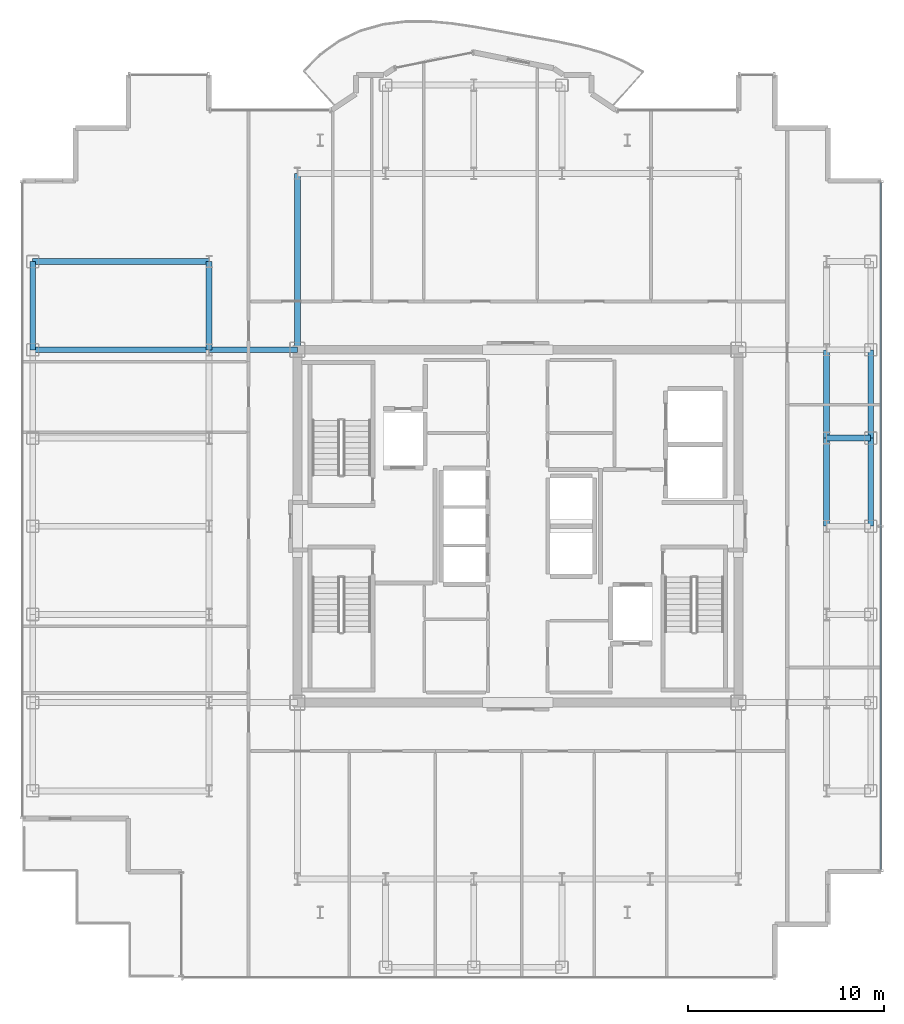
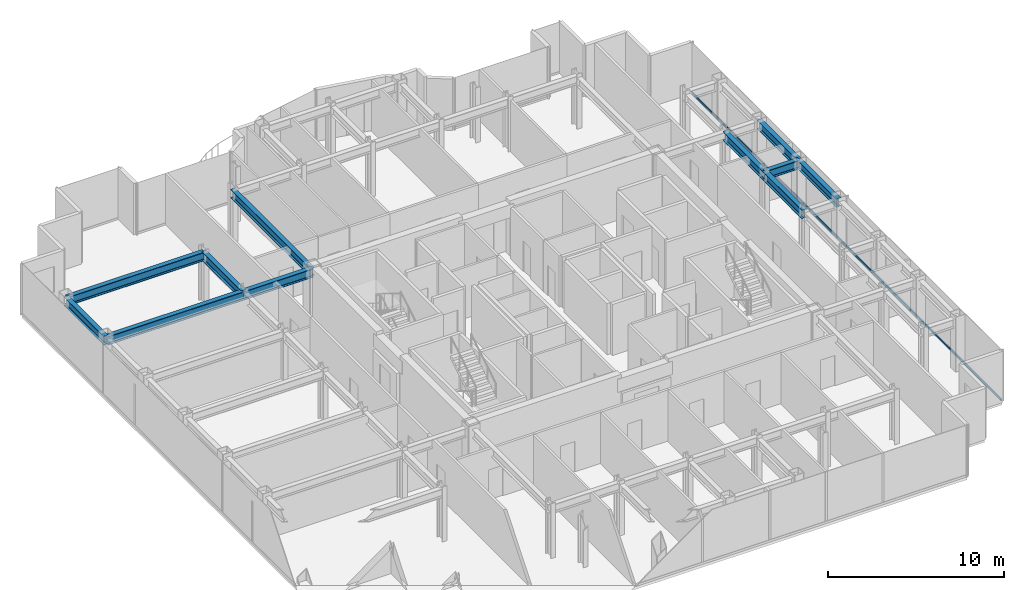
# One storey, part 6 of 17: 11 beams, 1 member, 1 element without a shape of its own.
"""IFC4 building model written with IfcOpenShell, lengths in metres."""

from ifc_helpers import new_model, si_unit, direction, frame, origin, origin_2d, place, context, subcontext, project, spatial, hollow_rectangle, i_section, extrude, source, transform, mapped, material, layer, layer_set, material_profile, profile_set, type_object, element, aggregate, save


model = new_model("IFC4")

# Units and contexts
model_context = context("Model", 3, precision=1e-05, world=origin(), true_north=direction((0.0, 1.0)))
body_context = subcontext(model_context, "Body", "Model", "MODEL_VIEW")
ifc_project = project(units=[si_unit("LENGTHUNIT", "METRE"), si_unit("AREAUNIT", "SQUARE_METRE"), si_unit("VOLUMEUNIT", "CUBIC_METRE"), si_unit("PLANEANGLEUNIT", "RADIAN"), si_unit("MASSUNIT", "GRAM", prefix="KILO")], contexts=[model_context])

# Site, building, storey
site_placement = place(None, origin())
site = spatial("IfcSite", under=ifc_project, at=site_placement, CompositionType="ELEMENT")
building_placement = place(site_placement, origin())
building = spatial("IfcBuilding", under=site, at=building_placement, Name="Nefas-Gora Pilgrimage Tower", CompositionType="ELEMENT")
storey_placement = place(building_placement, frame((0.0, 0.0, 279.800048828125)))
storey = spatial("IfcBuildingStorey", under=building, at=storey_placement, Name="L70", CompositionType="ELEMENT", Elevation=279.800048828125)

# Beams
ifc_material_1 = material(Name="Steel S355", Category="steel")
ifc_material_profile_1 = material_profile(ifc_material_1, i_section(OverallWidth=0.300048828125, OverallDepth=0.60009765625, WebThickness=0.015380859375, FlangeThickness=0.030029296875, FilletRadius=0.027099609375, at=origin_2d()), Name="HEB 600")
ifc_profile_set_1 = profile_set([ifc_material_profile_1], Name="Steel S355")
beam_type_1 = type_object("IfcBeamType", Name="BM-SPN-HEB450", PredefinedType="SPANDREL", material=ifc_profile_set_1)
shared_shape_1 = source(origin(), body_context, "Body", "SweptSolid", [
    extrude(i_section(OverallWidth=0.300048828125, OverallDepth=0.60009765625, WebThickness=0.015380859375, FlangeThickness=0.030029296875, FilletRadius=0.027099609375, at=origin_2d()), origin(), (0.0, 0.0, 1.0), 4.5),
])
for number, where, z_axis, x_axis, name in (
    (1, (-24.75, 9.0, 3.25), (0.0, 1.0, 0.0), (-1.0, 0.0, 0.0), "L70 SP-03 beam"),
    (2, (18.0, 0.0, 3.25), (0.0, 1.0, 0.0), (-1.0, 0.0, 0.0), "L70 SP-03 beam"),
    (3, (18.0, 4.5, 3.25), (0.0, 1.0, 0.0), (-1.0, 0.0, 0.0), "L70 SP-03 beam"),
):
    element("IfcBeam", number, at=place(storey_placement, frame(where, z_axis=z_axis, x_axis=x_axis)), inside=storey, type_object=beam_type_1, Name=name, PredefinedType="SPANDREL", context=body_context, shape_type="MappedRepresentation", body=[
        mapped(shared_shape_1, transform((0.0, 0.0, 0.0), x_axis=(1.0, 0.0, 0.0), y_axis=(0.0, 1.0, 0.0), z_axis=(0.0, 0.0, 1.0), scale=1.0)),
    ])
ifc_material_profile_2 = material_profile(ifc_material_1, i_section(OverallWidth=0.300048828125, OverallDepth=0.60009765625, WebThickness=0.015380859375, FlangeThickness=0.030029296875, FilletRadius=0.027099609375, at=origin_2d()), Name="HEB 600")
ifc_profile_set_2 = profile_set([ifc_material_profile_2], Name="Steel S355")
beam_type_2 = type_object("IfcBeamType", Name="BM-GIR-HEB600", PredefinedType="BEAM", material=ifc_profile_set_2)
shared_shape_2 = source(origin(), body_context, "Body", "SweptSolid", [
    extrude(i_section(OverallWidth=0.300048828125, OverallDepth=0.60009765625, WebThickness=0.015380859375, FlangeThickness=0.030029296875, FilletRadius=0.027099609375, at=origin_2d()), origin(), (0.0, 0.0, 1.0), 9.0),
])
for number, where, z_axis, x_axis, name in (
    (4, (-24.75, 9.0, 3.25), (1.0, 0.0, 0.0), (0.0, 1.0, 0.0), "L70 G-04 beam"),
    (5, (-24.75, 13.5, 3.25), (1.0, 0.0, 0.0), (0.0, 1.0, 0.0), "L70 G-04 beam"),
    (6, (-11.25, 9.0, 3.25), (0.0, 1.0, 0.0), (-1.0, 0.0, 0.0), "L70 G-04 beam"),
):
    element("IfcBeam", number, at=place(storey_placement, frame(where, z_axis=z_axis, x_axis=x_axis)), inside=storey, type_object=beam_type_2, Name=name, PredefinedType="BEAM", context=body_context, shape_type="MappedRepresentation", body=[
        mapped(shared_shape_2, transform((0.0, 0.0, 0.0), x_axis=(1.0, 0.0, 0.0), y_axis=(0.0, 1.0, 0.0), z_axis=(0.0, 0.0, 1.0), scale=1.0)),
    ])
shared_shape_3 = source(origin(), body_context, "Body", "SweptSolid", [
    extrude(i_section(OverallWidth=0.300048828125, OverallDepth=0.60009765625, WebThickness=0.015380859375, FlangeThickness=0.030029296875, FilletRadius=0.027099609375, at=origin_2d()), origin(), (0.0, 0.0, 1.0), 4.5),
])
for number, where, z_axis, x_axis, name in (
    (7, (-15.75, 9.0, 3.25), (0.0, 1.0, 0.0), (-1.0, 0.0, 0.0), "L70 G-04 beam"),
    (8, (-15.75, 9.0, 3.25), (1.0, 0.0, 0.0), (0.0, 1.0, 0.0), "L70 G-04 beam"),
    (9, (15.75, 0.0, 3.25), (0.0, 1.0, 0.0), (-1.0, 0.0, 0.0), "L70 G-04 beam"),
    (10, (15.75, 4.5, 3.25), (0.0, 1.0, 0.0), (-1.0, 0.0, 0.0), "L70 G-04 beam"),
):
    element("IfcBeam", number, at=place(storey_placement, frame(where, z_axis=z_axis, x_axis=x_axis)), inside=storey, type_object=beam_type_2, Name=name, PredefinedType="BEAM", context=body_context, shape_type="MappedRepresentation", body=[
        mapped(shared_shape_3, transform((0.0, 0.0, 0.0), x_axis=(1.0, 0.0, 0.0), y_axis=(0.0, 1.0, 0.0), z_axis=(0.0, 0.0, 1.0), scale=1.0)),
    ])
shared_shape_4 = source(origin(), body_context, "Body", "SweptSolid", [
    extrude(i_section(OverallWidth=0.300048828125, OverallDepth=0.60009765625, WebThickness=0.015380859375, FlangeThickness=0.030029296875, FilletRadius=0.027099609375, at=origin_2d()), origin(), (0.0, 0.0, 1.0), 2.25),
])
beam_placement = place(storey_placement, frame((15.75, 4.5, 3.25), z_axis=(1.0, 0.0, 0.0), x_axis=(0.0, 1.0, 0.0)))
element("IfcBeam", 11, at=beam_placement, inside=storey, type_object=beam_type_2, Name="L70 G-04 beam", PredefinedType="BEAM", context=body_context, shape_type="MappedRepresentation", body=[
    mapped(shared_shape_4, transform((0.0, 0.0, 0.0), x_axis=(1.0, 0.0, 0.0), y_axis=(0.0, 1.0, 0.0), z_axis=(0.0, 0.0, 1.0), scale=1.0)),
])

# Curtain wall, member
ifc_material_2 = material(Name="Dark ceramic-fritted solar-control aluminium-glass curtain wall", Category="aluminium")
ifc_layer = layer(ifc_material_2, 0.219970703125)
ifc_layer_set = layer_set([ifc_layer], Name="Dark ceramic-fritted solar-control aluminium-glass curtain wall")
curtain_wall_type = type_object("IfcCurtainWallType", Name="CW-SYS-4", PredefinedType="NOTDEFINED", material=ifc_layer_set)
curtain_wall_placement = place(storey_placement, origin())
curtain_wall = element("IfcCurtainWall", 12, at=curtain_wall_placement, inside=storey, type_object=curtain_wall_type, Name="L70 Unitised Curtain Wall CW4", PredefinedType="NOTDEFINED")
ifc_material_3 = material(Name="Anodised architectural aluminium", Category="aluminium")
ifc_material_profile_3 = material_profile(ifc_material_3, hollow_rectangle(XDim=0.080078125, YDim=0.159912109375, WallThickness=0.00439453125, InnerFilletRadius=0.00439453125, OuterFilletRadius=0.009033203125, at=origin_2d()), Name="ALU TRANSOM 80x160")
ifc_profile_set_3 = profile_set([ifc_material_profile_3], Name="Anodised architectural aluminium")
member_type = type_object("IfcMemberType", Name="CWM-TRN-4", PredefinedType="USERDEFINED", material=ifc_profile_set_3)
shared_shape_5 = source(origin(), body_context, "Body", "SweptSolid", [
    extrude(hollow_rectangle(XDim=0.080078125, YDim=0.159912109375, WallThickness=0.00439453125, InnerFilletRadius=0.00439453125, OuterFilletRadius=0.009033203125, at=origin_2d()), origin(), (0.0, 0.0, 1.0), 35.06005859375),
])
member_placement = place(storey_placement, frame((18.52001953125, -17.530029296875, 0.050048828125), z_axis=(0.0, 1.0, 0.0), x_axis=(-1.0, 0.0, 0.0)))
member = element("IfcMember", 13, at=member_placement, type_object=member_type, Name="CW4 Spandrel Transom", ObjectType="TRANSOM", PredefinedType="USERDEFINED", context=body_context, shape_type="MappedRepresentation", body=[
    mapped(shared_shape_5, transform((0.0, 0.0, 0.0), x_axis=(1.0, 0.0, 0.0), y_axis=(0.0, 1.0, 0.0), z_axis=(0.0, 0.0, 1.0), scale=1.0)),
])
aggregate(curtain_wall, [member])

save(model, "model.ifc")
